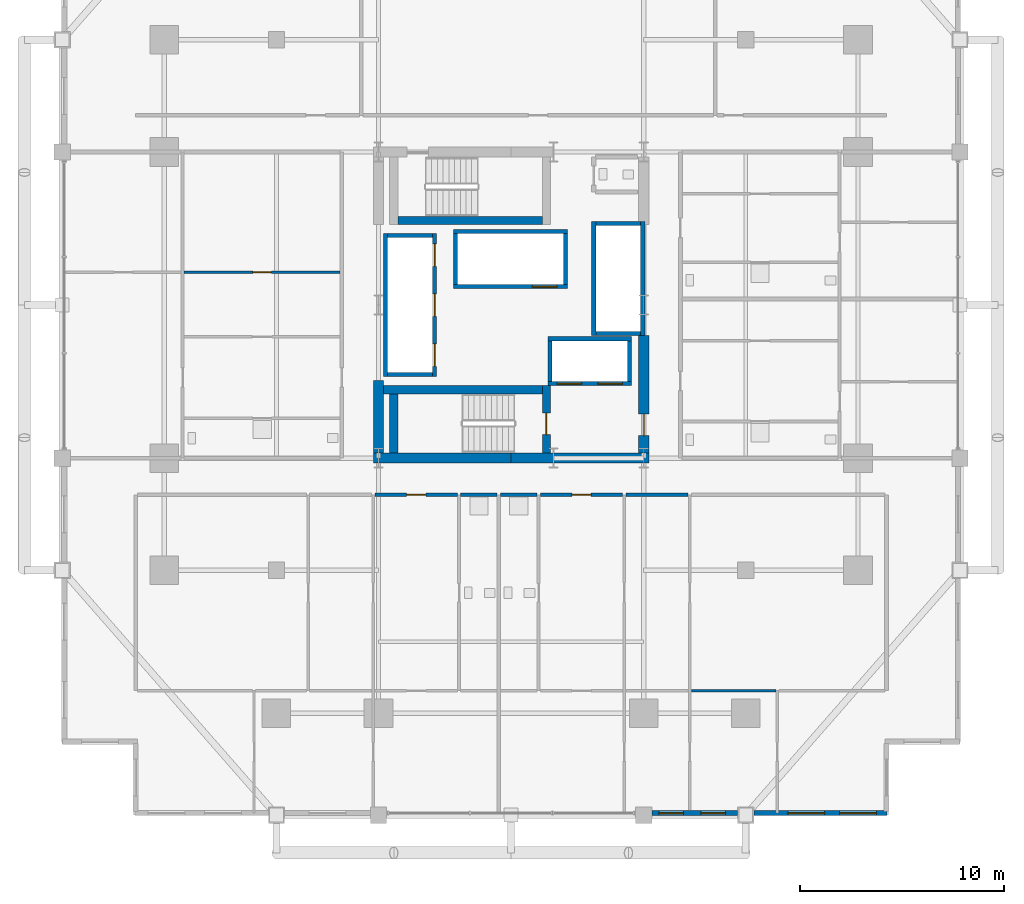
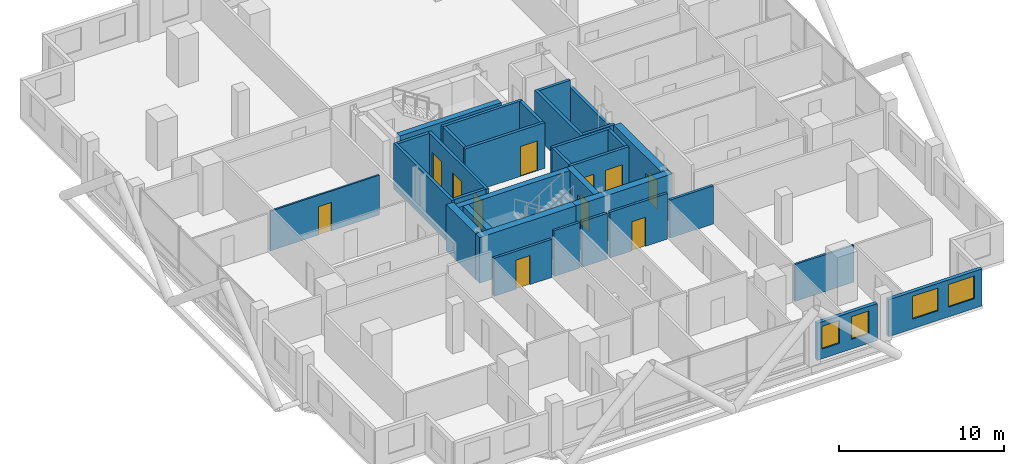
# One storey, part 22 of 27: 33 walls, 11 doors, 4 windows, 15 openings.
"""IFC4 building model written with IfcOpenShell, lengths in metres."""

from ifc_helpers import new_model, si_unit, direction, frame, frame_2d, origin, place, context, subcontext, project, spatial, rectangle, extrude, material, layer, layer_set, type_object, element, fill, save


model = new_model("IFC4")

# Units and contexts
model_context = context("Model", 3, precision=1e-05, world=origin(), true_north=direction((0.0, 1.0)))
body_context = subcontext(model_context, "Body", "Model", "MODEL_VIEW")
ifc_project = project(units=[si_unit("LENGTHUNIT", "METRE"), si_unit("AREAUNIT", "SQUARE_METRE"), si_unit("VOLUMEUNIT", "CUBIC_METRE"), si_unit("PLANEANGLEUNIT", "RADIAN"), si_unit("MASSUNIT", "GRAM", prefix="KILO")], contexts=[model_context])

# Site, building, storey
site_placement = place(None, origin())
site = spatial("IfcSite", under=ifc_project, at=site_placement, CompositionType="ELEMENT")
building_placement = place(site_placement, origin())
building = spatial("IfcBuilding", under=site, at=building_placement, Name="Barlavira Tower and Art Museum", CompositionType="ELEMENT")
storey_placement = place(building_placement, frame((0.0, 0.0, 72.0)))
storey = spatial("IfcBuildingStorey", under=building, at=storey_placement, Name="L17", CompositionType="ELEMENT", Elevation=72.0)

# Wall, opening, door
ifc_material_1 = material(Name="Gypsum acoustic stud partition", Category="gypsum")
ifc_layer_1 = layer(ifc_material_1, 0.1201171875, Name="Gypsum acoustic stud partition")
ifc_layer_set_1 = layer_set([ifc_layer_1], Name="Gypsum acoustic stud partition")
wall_type_1 = type_object("IfcWallType", Name="Apartment Internal Acoustic Partition 120", PredefinedType="PARTITIONING", material=ifc_layer_set_1)
wall_1_placement = place(storey_placement, frame((-16.02001953125, 1.60009765625, 0.0), z_axis=(0.0, 0.0, 1.0), x_axis=(1.0, 0.0, 0.0)))
wall_1 = element("IfcWall", 1, at=wall_1_placement, inside=storey, type_object=wall_type_1, Name="L17 Partition Wall 49", PredefinedType="PARTITIONING", context=body_context, shape_type="SweptSolid", body=[
    extrude(rectangle(XDim=7.64013671875, YDim=0.1201171875, at=frame_2d((3.820068359375, 0.0))), origin(), (0.0, 0.0, 1.0), 2.947998046875),
])
opening_1_placement = place(wall_1_placement, frame((3.3701171875, 0.0, 0.0)))
opening_1 = element("IfcOpeningElement", 2, at=opening_1_placement, cuts=wall_1, Name="Opening D-01", PredefinedType="OPENING", context=body_context, shape_type="SweptSolid", body=[
    extrude(rectangle(XDim=0.89990234375, YDim=2.10009765625, at=frame_2d((0.449951171875, 1.050048828125))), frame((0.0, 0.070068359375, 0.0), z_axis=(0.0, -1.0, 0.0), x_axis=(1.0, 0.0, 0.0)), (0.0, 0.0, 1.0), 0.14013671875),
])
ifc_material_2 = material(Name="Engineered coastal hardwood", Category="wood")
door_type_1 = type_object("IfcDoorType", Name="Internal Bedroom Timber Flush Door 900x2100", OperationType="NOTDEFINED", PredefinedType="DOOR", material=ifc_material_2)
door_1_placement = place(opening_1_placement, origin())
door_1 = element("IfcDoor", 3, at=door_1_placement, inside=storey, type_object=door_type_1, Name="Apartment W1 Walk-In Dressing Room Door", OperationType="SINGLE_SWING_LEFT", OverallHeight=2.10009765625, OverallWidth=0.89990234375, PredefinedType="DOOR", context=body_context, shape_type="SweptSolid", body=[
    extrude(rectangle(XDim=0.89990234375, YDim=2.10009765625, at=frame_2d((0.449951171875, 1.050048828125))), frame((0.0, 0.02490234375, 0.0), z_axis=(0.0, -1.0, 0.0), x_axis=(1.0, 0.0, 0.0)), (0.0, 0.0, 1.0), 0.050048828125),
])
fill(opening_1, door_1)

# Walls
ifc_material_3 = material(Name="Concrete C60", Category="concrete")
ifc_layer_2 = layer(ifc_material_3, 0.5, Name="Concrete C60")
ifc_layer_set_2 = layer_set([ifc_layer_2], Name="Concrete C60")
wall_type_2 = type_object("IfcWallType", Name="Core Structural Shear Wall 500 Concrete C60", PredefinedType="SHEAR", material=ifc_layer_set_2)
for number, where, z_axis, x_axis, name in (
    (4, (-6.75, -7.5, 0.0), (0.0, 0.0, 1.0), (1.0, 0.0, 0.0), "L17 Core Shear Wall CS-SW"),
    (5, (0.0, -7.5, 0.0), (0.0, 0.0, 1.0), (1.0, 0.0, 0.0), "L17 Core Shear Wall CS-SE"),
):
    element("IfcWall", number, at=place(storey_placement, frame(where, z_axis=z_axis, x_axis=x_axis)), inside=storey, type_object=wall_type_2, Name=name, PredefinedType="SHEAR", context=body_context, shape_type="SweptSolid", body=[
        extrude(rectangle(XDim=6.75, YDim=0.5, at=frame_2d((3.375, 0.0))), origin(), (0.0, 0.0, 1.0), 3.3798828125),
    ])
wall_2_placement = place(storey_placement, frame((-6.5, -7.25, 0.0), z_axis=(0.0, 0.0, 1.0), x_axis=(0.0, 1.0, 0.0)))
element("IfcWall", 6, at=wall_2_placement, inside=storey, type_object=wall_type_2, Name="L17 Core Shear Wall CS-W1", PredefinedType="SHEAR", context=body_context, shape_type="SweptSolid", body=[
    extrude(rectangle(XDim=3.550048828125, YDim=0.5, at=frame_2d((1.77490234375, 0.0))), origin(), (0.0, 0.0, 1.0), 3.3798828125),
])

# Wall, opening, door
wall_3_placement = place(storey_placement, frame((6.5, -7.25, 0.0), z_axis=(0.0, 0.0, 1.0), x_axis=(0.0, 1.0, 0.0)))
wall_3 = element("IfcWall", 7, at=wall_3_placement, inside=storey, type_object=wall_type_2, Name="L17 Core Shear Wall CS-E1", PredefinedType="SHEAR", context=body_context, shape_type="SweptSolid", body=[
    extrude(rectangle(XDim=5.75, YDim=0.5, at=frame_2d((2.875, 0.0))), origin(), (0.0, 0.0, 1.0), 3.3798828125),
])
opening_2_placement = place(wall_3_placement, frame((0.85009765625, 0.0, 0.0)))
opening_2 = element("IfcOpeningElement", 8, at=opening_2_placement, cuts=wall_3, Name="Opening FD-90", PredefinedType="OPENING", context=body_context, shape_type="SweptSolid", body=[
    extrude(rectangle(XDim=1.050048828125, YDim=2.14990234375, at=frame_2d((0.52490234375, 1.074951171875))), frame((0.0, 0.260009765625, 0.0), z_axis=(0.0, -1.0, 0.0), x_axis=(1.0, 0.0, 0.0)), (0.0, 0.0, 1.0), 0.52001953125),
])
ifc_material_4 = material(Name="Brushed stainless steel", Category="steel")
door_type_2 = type_object("IfcDoorType", Name="Stair and Refuge Fire Door 1050x2150 FD90S", OperationType="NOTDEFINED", PredefinedType="DOOR", material=ifc_material_4)
door_2_placement = place(opening_2_placement, origin())
door_2 = element("IfcDoor", 9, at=door_2_placement, inside=storey, type_object=door_type_2, Name="L17 Firefighting Lobby Entry Fire Door", OperationType="SINGLE_SWING_LEFT", OverallHeight=2.14990234375, OverallWidth=1.050048828125, PredefinedType="DOOR", context=body_context, shape_type="SweptSolid", body=[
    extrude(rectangle(XDim=1.050048828125, YDim=2.14990234375, at=frame_2d((0.52490234375, 1.074951171875))), frame((0.0, 0.02490234375, 0.0), z_axis=(0.0, -1.0, 0.0), x_axis=(1.0, 0.0, 0.0)), (0.0, 0.0, 1.0), 0.050048828125),
])
fill(opening_2, door_2)

# Wall, openings, doors
ifc_material_5 = material(Name="Autoclaved aerated concrete masonry", Category="masonry")
ifc_layer_3 = layer(ifc_material_5, 0.199951171875, Name="Autoclaved aerated concrete masonry")
ifc_layer_set_3 = layer_set([ifc_layer_3], Name="Autoclaved aerated concrete masonry")
wall_type_3 = type_object("IfcWallType", Name="Fire Compartment and Shaft Wall 200", PredefinedType="SOLIDWALL", material=ifc_layer_set_3)
wall_4_placement = place(storey_placement, frame((-3.75, -3.510009765625, 0.0), z_axis=(0.0, 0.0, 1.0), x_axis=(0.0, 1.0, 0.0)))
wall_4 = element("IfcWall", 10, at=wall_4_placement, inside=storey, type_object=wall_type_3, Name="L17 Low-Rise Lift Front Shaft Wall", PredefinedType="SOLIDWALL", context=body_context, shape_type="SweptSolid", body=[
    extrude(rectangle(XDim=7.02001953125, YDim=0.199951171875, at=frame_2d((3.510009765625, 0.0))), origin(), (0.0, 0.0, 1.0), 3.3798828125),
])
opening_3_placement = place(wall_4_placement, frame((0.510009765625, 0.0, 0.0)))
opening_3 = element("IfcOpeningElement", 11, at=opening_3_placement, cuts=wall_4, Name="Opening LD-P", PredefinedType="OPENING", context=body_context, shape_type="SweptSolid", body=[
    extrude(rectangle(XDim=1.10009765625, YDim=2.14990234375, at=frame_2d((0.550048828125, 1.074951171875))), frame((0.0, 0.10986328125, 0.0), z_axis=(0.0, -1.0, 0.0), x_axis=(1.0, 0.0, 0.0)), (0.0, 0.0, 1.0), 0.219970703125),
])
opening_4_placement = place(wall_4_placement, frame((2.9599609375, 0.0, 0.0)))
opening_4 = element("IfcOpeningElement", 12, at=opening_4_placement, cuts=wall_4, Name="Opening LD-P", PredefinedType="OPENING", context=body_context, shape_type="SweptSolid", body=[
    extrude(rectangle(XDim=1.10009765625, YDim=2.14990234375, at=frame_2d((0.550048828125, 1.074951171875))), frame((0.0, 0.10986328125, 0.0), z_axis=(0.0, -1.0, 0.0), x_axis=(1.0, 0.0, 0.0)), (0.0, 0.0, 1.0), 0.219970703125),
])
opening_5_placement = place(wall_4_placement, frame((5.409912109375, 0.0, 0.0)))
opening_5 = element("IfcOpeningElement", 13, at=opening_5_placement, cuts=wall_4, Name="Opening LD-P", PredefinedType="OPENING", context=body_context, shape_type="SweptSolid", body=[
    extrude(rectangle(XDim=1.10009765625, YDim=2.14990234375, at=frame_2d((0.550048828125, 1.074951171875))), frame((0.0, 0.10986328125, 0.0), z_axis=(0.0, -1.0, 0.0), x_axis=(1.0, 0.0, 0.0)), (0.0, 0.0, 1.0), 0.219970703125),
])
door_type_3 = type_object("IfcDoorType", Name="Passenger Lift Sliding Landing Door 1100x2150 FD60", OperationType="NOTDEFINED", PredefinedType="DOOR", material=ifc_material_4)
door_3_placement = place(opening_3_placement, origin())
door_3 = element("IfcDoor", 14, at=door_3_placement, inside=storey, type_object=door_type_3, Name="L17 Lift PL1 Sliding Landing Door", OperationType="DOUBLE_DOOR_SLIDING", OverallHeight=2.14990234375, OverallWidth=1.10009765625, PredefinedType="DOOR", context=body_context, shape_type="SweptSolid", body=[
    extrude(rectangle(XDim=1.10009765625, YDim=2.14990234375, at=frame_2d((0.550048828125, 1.074951171875))), frame((0.0, 0.02490234375, 0.0), z_axis=(0.0, -1.0, 0.0), x_axis=(1.0, 0.0, 0.0)), (0.0, 0.0, 1.0), 0.050048828125),
])
fill(opening_3, door_3)
door_4_placement = place(opening_4_placement, origin())
door_4 = element("IfcDoor", 15, at=door_4_placement, inside=storey, type_object=door_type_3, Name="L17 Lift PL2 Sliding Landing Door", OperationType="DOUBLE_DOOR_SLIDING", OverallHeight=2.14990234375, OverallWidth=1.10009765625, PredefinedType="DOOR", context=body_context, shape_type="SweptSolid", body=[
    extrude(rectangle(XDim=1.10009765625, YDim=2.14990234375, at=frame_2d((0.550048828125, 1.074951171875))), frame((0.0, 0.02490234375, 0.0), z_axis=(0.0, -1.0, 0.0), x_axis=(1.0, 0.0, 0.0)), (0.0, 0.0, 1.0), 0.050048828125),
])
fill(opening_4, door_4)
door_5_placement = place(opening_5_placement, origin())
door_5 = element("IfcDoor", 16, at=door_5_placement, inside=storey, type_object=door_type_3, Name="L17 Lift PL3 Sliding Landing Door", OperationType="DOUBLE_DOOR_SLIDING", OverallHeight=2.14990234375, OverallWidth=1.10009765625, PredefinedType="DOOR", context=body_context, shape_type="SweptSolid", body=[
    extrude(rectangle(XDim=1.10009765625, YDim=2.14990234375, at=frame_2d((0.550048828125, 1.074951171875))), frame((0.0, 0.02490234375, 0.0), z_axis=(0.0, -1.0, 0.0), x_axis=(1.0, 0.0, 0.0)), (0.0, 0.0, 1.0), 0.050048828125),
])
fill(opening_5, door_5)

# Walls
wall_5_placement = place(storey_placement, frame((-6.14990234375, -3.510009765625, 0.0), z_axis=(0.0, 0.0, 1.0), x_axis=(0.0, 1.0, 0.0)))
element("IfcWall", 17, at=wall_5_placement, inside=storey, type_object=wall_type_3, Name="L17 Low-Rise Lift Back Shaft Wall", PredefinedType="SOLIDWALL", context=body_context, shape_type="SweptSolid", body=[
    extrude(rectangle(XDim=7.02001953125, YDim=0.199951171875, at=frame_2d((3.510009765625, 0.0))), origin(), (0.0, 0.0, 1.0), 3.3798828125),
])
for number, where, z_axis, x_axis, name in (
    (18, (-6.050048828125, -3.409912109375, 0.0), (0.0, 0.0, 1.0), (1.0, 0.0, 0.0), "L17 Low-Rise Lift South Shaft Wall"),
    (19, (-6.050048828125, 3.409912109375, 0.0), (0.0, 0.0, 1.0), (1.0, 0.0, 0.0), "L17 Low-Rise Lift North Shaft Wall"),
):
    element("IfcWall", number, at=place(storey_placement, frame(where, z_axis=z_axis, x_axis=x_axis)), inside=storey, type_object=wall_type_3, Name=name, PredefinedType="SOLIDWALL", context=body_context, shape_type="SweptSolid", body=[
        extrude(rectangle(XDim=2.199951171875, YDim=0.199951171875, at=frame_2d((1.10009765625, 0.0))), origin(), (0.0, 0.0, 1.0), 3.3798828125),
    ])
wall_6_placement = place(storey_placement, frame((4.050048828125, -1.489990234375, 0.0), z_axis=(0.0, 0.0, 1.0), x_axis=(0.0, 1.0, 0.0)))
element("IfcWall", 20, at=wall_6_placement, inside=storey, type_object=wall_type_3, Name="L17 Mid-Rise Lift Front Shaft Wall", PredefinedType="SOLIDWALL", context=body_context, shape_type="SweptSolid", body=[
    extrude(rectangle(XDim=5.580078125, YDim=0.199951171875, at=frame_2d((2.7900390625, 0.0))), origin(), (0.0, 0.0, 1.0), 3.3798828125),
])
wall_7_placement = place(storey_placement, frame((6.449951171875, -1.489990234375, 0.0), z_axis=(0.0, 0.0, 1.0), x_axis=(0.0, 1.0, 0.0)))
element("IfcWall", 21, at=wall_7_placement, inside=storey, type_object=wall_type_3, Name="L17 Mid-Rise Lift Back Shaft Wall", PredefinedType="SOLIDWALL", context=body_context, shape_type="SweptSolid", body=[
    extrude(rectangle(XDim=5.580078125, YDim=0.199951171875, at=frame_2d((2.7900390625, 0.0))), origin(), (0.0, 0.0, 1.0), 2.81591796875),
])
for number, where, z_axis, x_axis, name in (
    (22, (4.14990234375, -1.389892578125, 0.0), (0.0, 0.0, 1.0), (1.0, 0.0, 0.0), "L17 Mid-Rise Lift South Shaft Wall"),
    (23, (4.14990234375, 3.989990234375, 0.0), (0.0, 0.0, 1.0), (1.0, 0.0, 0.0), "L17 Mid-Rise Lift North Shaft Wall"),
):
    element("IfcWall", number, at=place(storey_placement, frame(where, z_axis=z_axis, x_axis=x_axis)), inside=storey, type_object=wall_type_3, Name=name, PredefinedType="SOLIDWALL", context=body_context, shape_type="SweptSolid", body=[
        extrude(rectangle(XDim=2.2001953125, YDim=0.199951171875, at=frame_2d((1.10009765625, 0.0))), origin(), (0.0, 0.0, 1.0), 3.3798828125),
    ])

# Wall, opening, door
wall_8_placement = place(storey_placement, frame((-2.820068359375, 0.89990234375, 0.0), z_axis=(0.0, 0.0, 1.0), x_axis=(1.0, 0.0, 0.0)))
wall_8 = element("IfcWall", 24, at=wall_8_placement, inside=storey, type_object=wall_type_3, Name="L17 High-Rise & Service Lift Front Wall", PredefinedType="SOLIDWALL", context=body_context, shape_type="SweptSolid", body=[
    extrude(rectangle(XDim=5.580078125, YDim=0.199951171875, at=frame_2d((2.7900390625, 0.0))), origin(), (0.0, 0.0, 1.0), 3.3798828125),
])
opening_6_placement = place(wall_8_placement, frame((3.860107421875, 0.0, 0.0)))
opening_6 = element("IfcOpeningElement", 25, at=opening_6_placement, cuts=wall_8, Name="Opening LD-F", PredefinedType="OPENING", context=body_context, shape_type="SweptSolid", body=[
    extrude(rectangle(XDim=1.199951171875, YDim=2.199951171875, at=frame_2d((0.60009765625, 1.10009765625))), frame((0.0, 0.10986328125, 0.0), z_axis=(0.0, -1.0, 0.0), x_axis=(1.0, 0.0, 0.0)), (0.0, 0.0, 1.0), 0.219970703125),
])
door_type_4 = type_object("IfcDoorType", Name="Firefighting and Service Lift Sliding Door 1200x2200 FD120", OperationType="NOTDEFINED", PredefinedType="DOOR", material=ifc_material_4)
door_6_placement = place(opening_6_placement, origin())
door_6 = element("IfcDoor", 26, at=door_6_placement, inside=storey, type_object=door_type_4, Name="L17 Stretcher Service Lift SL1 Sliding Door", OperationType="DOUBLE_DOOR_SLIDING", OverallHeight=2.199951171875, OverallWidth=1.199951171875, PredefinedType="DOOR", context=body_context, shape_type="SweptSolid", body=[
    extrude(rectangle(XDim=1.199951171875, YDim=2.199951171875, at=frame_2d((0.60009765625, 1.10009765625))), frame((0.0, 0.02490234375, 0.0), z_axis=(0.0, -1.0, 0.0), x_axis=(1.0, 0.0, 0.0)), (0.0, 0.0, 1.0), 0.050048828125),
])
fill(opening_6, door_6)

# Walls
wall_9_placement = place(storey_placement, frame((-2.820068359375, 3.60009765625, 0.0), z_axis=(0.0, 0.0, 1.0), x_axis=(1.0, 0.0, 0.0)))
element("IfcWall", 27, at=wall_9_placement, inside=storey, type_object=wall_type_3, Name="L17 High-Rise & Service Lift Back Wall", PredefinedType="SOLIDWALL", context=body_context, shape_type="SweptSolid", body=[
    extrude(rectangle(XDim=5.580078125, YDim=0.199951171875, at=frame_2d((2.7900390625, 0.0))), origin(), (0.0, 0.0, 1.0), 3.3798828125),
])
for number, where, z_axis, x_axis, name in (
    (28, (-2.719970703125, 1.0, 0.0), (0.0, 0.0, 1.0), (0.0, 1.0, 0.0), "L17 High-Rise & Service Lift West Wall"),
    (29, (2.659912109375, 1.0, 0.0), (0.0, 0.0, 1.0), (0.0, 1.0, 0.0), "L17 High-Rise & Service Lift East Wall"),
):
    element("IfcWall", number, at=place(storey_placement, frame(where, z_axis=z_axis, x_axis=x_axis)), inside=storey, type_object=wall_type_3, Name=name, PredefinedType="SOLIDWALL", context=body_context, shape_type="SweptSolid", body=[
        extrude(rectangle(XDim=2.5, YDim=0.199951171875, at=frame_2d((1.25, 0.0))), origin(), (0.0, 0.0, 1.0), 3.3798828125),
    ])

# Wall, openings, doors
wall_10_placement = place(storey_placement, frame((1.800048828125, -3.85009765625, 0.0), z_axis=(0.0, 0.0, 1.0), x_axis=(1.0, 0.0, 0.0)))
wall_10 = element("IfcWall", 30, at=wall_10_placement, inside=storey, type_object=wall_type_3, Name="L17 Firefighting Lift Front Shaft Wall", PredefinedType="SOLIDWALL", context=body_context, shape_type="SweptSolid", body=[
    extrude(rectangle(XDim=4.099853515625, YDim=0.199951171875, at=frame_2d((2.0498046875, 0.0))), origin(), (0.0, 0.0, 1.0), 3.3798828125),
])
opening_7_placement = place(wall_10_placement, frame((0.449951171875, 0.0, 0.0)))
opening_7 = element("IfcOpeningElement", 31, at=opening_7_placement, cuts=wall_10, Name="Opening LD-F", PredefinedType="OPENING", context=body_context, shape_type="SweptSolid", body=[
    extrude(rectangle(XDim=1.199951171875, YDim=2.199951171875, at=frame_2d((0.60009765625, 1.10009765625))), frame((0.0, 0.10986328125, 0.0), z_axis=(0.0, -1.0, 0.0), x_axis=(1.0, 0.0, 0.0)), (0.0, 0.0, 1.0), 0.219970703125),
])
opening_8_placement = place(wall_10_placement, frame((2.449951171875, 0.0, 0.0)))
opening_8 = element("IfcOpeningElement", 32, at=opening_8_placement, cuts=wall_10, Name="Opening LD-F", PredefinedType="OPENING", context=body_context, shape_type="SweptSolid", body=[
    extrude(rectangle(XDim=1.199951171875, YDim=2.199951171875, at=frame_2d((0.60009765625, 1.10009765625))), frame((0.0, 0.10986328125, 0.0), z_axis=(0.0, -1.0, 0.0), x_axis=(1.0, 0.0, 0.0)), (0.0, 0.0, 1.0), 0.219970703125),
])
door_7_placement = place(opening_7_placement, origin())
door_7 = element("IfcDoor", 33, at=door_7_placement, inside=storey, type_object=door_type_4, Name="L17 Firefighting Lift FF1 Sliding Door", OperationType="DOUBLE_DOOR_SLIDING", OverallHeight=2.199951171875, OverallWidth=1.199951171875, PredefinedType="DOOR", context=body_context, shape_type="SweptSolid", body=[
    extrude(rectangle(XDim=1.199951171875, YDim=2.199951171875, at=frame_2d((0.60009765625, 1.10009765625))), frame((0.0, 0.02490234375, 0.0), z_axis=(0.0, -1.0, 0.0), x_axis=(1.0, 0.0, 0.0)), (0.0, 0.0, 1.0), 0.050048828125),
])
fill(opening_7, door_7)
door_8_placement = place(opening_8_placement, origin())
door_8 = element("IfcDoor", 34, at=door_8_placement, inside=storey, type_object=door_type_4, Name="L17 Firefighting Lift FF2 Sliding Door", OperationType="DOUBLE_DOOR_SLIDING", OverallHeight=2.199951171875, OverallWidth=1.199951171875, PredefinedType="DOOR", context=body_context, shape_type="SweptSolid", body=[
    extrude(rectangle(XDim=1.199951171875, YDim=2.199951171875, at=frame_2d((0.60009765625, 1.10009765625))), frame((0.0, 0.02490234375, 0.0), z_axis=(0.0, -1.0, 0.0), x_axis=(1.0, 0.0, 0.0)), (0.0, 0.0, 1.0), 0.050048828125),
])
fill(opening_8, door_8)

# Walls
wall_11_placement = place(storey_placement, frame((1.800048828125, -1.64990234375, 0.0), z_axis=(0.0, 0.0, 1.0), x_axis=(1.0, 0.0, 0.0)))
element("IfcWall", 35, at=wall_11_placement, inside=storey, type_object=wall_type_3, Name="L17 Firefighting Lift Back Shaft Wall", PredefinedType="SOLIDWALL", context=body_context, shape_type="SweptSolid", body=[
    extrude(rectangle(XDim=4.099853515625, YDim=0.199951171875, at=frame_2d((2.0498046875, 0.0))), origin(), (0.0, 0.0, 1.0), 3.3798828125),
])
for number, where, z_axis, x_axis, name in (
    (36, (1.89990234375, -3.75, 0.0), (0.0, 0.0, 1.0), (0.0, 1.0, 0.0), "L17 Firefighting Lift West Shaft Wall"),
    (37, (5.800048828125, -3.75, 0.0), (0.0, 0.0, 1.0), (0.0, 1.0, 0.0), "L17 Firefighting Lift East Shaft Wall"),
):
    element("IfcWall", number, at=place(storey_placement, frame(where, z_axis=z_axis, x_axis=x_axis)), inside=storey, type_object=wall_type_3, Name=name, PredefinedType="SOLIDWALL", context=body_context, shape_type="SweptSolid", body=[
        extrude(rectangle(XDim=2.0, YDim=0.199951171875, at=frame_2d((1.0, 0.0))), origin(), (0.0, 0.0, 1.0), 3.3798828125),
    ])

# Wall, opening, door
ifc_layer_4 = layer(ifc_material_1, 0.179931640625, Name="Gypsum acoustic stud partition")
ifc_layer_set_4 = layer_set([ifc_layer_4], Name="Gypsum acoustic stud partition")
wall_type_4 = type_object("IfcWallType", Name="Inter-Tenancy Party Partition Wall 180", PredefinedType="PARTITIONING", material=ifc_layer_set_4)
wall_12_placement = place(storey_placement, frame((-6.669921875, -9.300048828125, 0.0), z_axis=(0.0, 0.0, 1.0), x_axis=(1.0, 0.0, 0.0)))
wall_12 = element("IfcWall", 38, at=wall_12_placement, inside=storey, type_object=wall_type_4, Name="L17 Partition Wall 31", PredefinedType="PARTITIONING", context=body_context, shape_type="SweptSolid", body=[
    extrude(rectangle(XDim=4.0400390625, YDim=0.179931640625, at=frame_2d((2.02001953125, 0.0))), origin(), (0.0, 0.0, 1.0), 2.81591796875),
])
opening_9_placement = place(wall_12_placement, frame((1.544921875, 0.0, 0.0)))
opening_9 = element("IfcOpeningElement", 39, at=opening_9_placement, cuts=wall_12, Name="Opening FD-60", PredefinedType="OPENING", context=body_context, shape_type="SweptSolid", body=[
    extrude(rectangle(XDim=0.949951171875, YDim=2.14990234375, at=frame_2d((0.47509765625, 1.074951171875))), frame((0.0, 0.10009765625, 0.0), z_axis=(0.0, -1.0, 0.0), x_axis=(1.0, 0.0, 0.0)), (0.0, 0.0, 1.0), 0.199951171875),
])
door_type_5 = type_object("IfcDoorType", Name="Apartment Entrance and Riser Fire Door 950x2150 FD60S", OperationType="NOTDEFINED", PredefinedType="DOOR", material=ifc_material_4)
door_9_placement = place(opening_9_placement, origin())
door_9 = element("IfcDoor", 40, at=door_9_placement, inside=storey, type_object=door_type_5, Name="Apartment Entrance Hall S1 Door", OperationType="SINGLE_SWING_LEFT", OverallHeight=2.14990234375, OverallWidth=0.949951171875, PredefinedType="DOOR", context=body_context, shape_type="SweptSolid", body=[
    extrude(rectangle(XDim=0.949951171875, YDim=2.14990234375, at=frame_2d((0.47509765625, 1.074951171875))), frame((0.0, 0.02490234375, 0.0), z_axis=(0.0, -1.0, 0.0), x_axis=(1.0, 0.0, 0.0)), (0.0, 0.0, 1.0), 0.050048828125),
])
fill(opening_9, door_9)

# Walls
for number, where, z_axis, x_axis, name in (
    (41, (-2.469970703125, -9.300048828125, 0.0), (0.0, 0.0, 1.0), (1.0, 0.0, 0.0), "L17 Partition Wall 32"),
    (42, (-0.52001953125, -9.300048828125, 0.0), (0.0, 0.0, 1.0), (1.0, 0.0, 0.0), "L17 Partition Wall 33"),
):
    element("IfcWall", number, at=place(storey_placement, frame(where, z_axis=z_axis, x_axis=x_axis)), inside=storey, type_object=wall_type_4, Name=name, PredefinedType="PARTITIONING", context=body_context, shape_type="SweptSolid", body=[
        extrude(rectangle(XDim=1.7900390625, YDim=0.179931640625, at=frame_2d((0.89501953125, 0.0))), origin(), (0.0, 0.0, 1.0), 3.3798828125),
    ])

# Wall, opening, door
wall_13_placement = place(storey_placement, frame((1.429931640625, -9.300048828125, 0.0), z_axis=(0.0, 0.0, 1.0), x_axis=(1.0, 0.0, 0.0)))
wall_13 = element("IfcWall", 43, at=wall_13_placement, inside=storey, type_object=wall_type_4, Name="L17 Partition Wall 34", PredefinedType="PARTITIONING", context=body_context, shape_type="SweptSolid", body=[
    extrude(rectangle(XDim=4.0400390625, YDim=0.179931640625, at=frame_2d((2.02001953125, 0.0))), origin(), (0.0, 0.0, 1.0), 3.3798828125),
])
opening_10_placement = place(wall_13_placement, frame((1.544921875, 0.0, 0.0)))
opening_10 = element("IfcOpeningElement", 44, at=opening_10_placement, cuts=wall_13, Name="Opening FD-60", PredefinedType="OPENING", context=body_context, shape_type="SweptSolid", body=[
    extrude(rectangle(XDim=0.949951171875, YDim=2.14990234375, at=frame_2d((0.47509765625, 1.074951171875))), frame((0.0, 0.10009765625, 0.0), z_axis=(0.0, -1.0, 0.0), x_axis=(1.0, 0.0, 0.0)), (0.0, 0.0, 1.0), 0.199951171875),
])
door_10_placement = place(opening_10_placement, origin())
door_10 = element("IfcDoor", 45, at=door_10_placement, inside=storey, type_object=door_type_5, Name="Apartment Entrance Hall S2 Door", OperationType="SINGLE_SWING_RIGHT", OverallHeight=2.14990234375, OverallWidth=0.949951171875, PredefinedType="DOOR", context=body_context, shape_type="SweptSolid", body=[
    extrude(rectangle(XDim=0.949951171875, YDim=2.14990234375, at=frame_2d((0.47509765625, 1.074951171875))), frame((0.0, 0.02490234375, 0.0), z_axis=(0.0, -1.0, 0.0), x_axis=(1.0, 0.0, 0.0)), (0.0, 0.0, 1.0), 0.050048828125),
])
fill(opening_10, door_10)

# Walls
wall_14_placement = place(storey_placement, frame((5.6298828125, -9.300048828125, 0.0), z_axis=(0.0, 0.0, 1.0), x_axis=(1.0, 0.0, 0.0)))
element("IfcWall", 46, at=wall_14_placement, inside=storey, type_object=wall_type_4, Name="L17 Partition Wall 35", PredefinedType="PARTITIONING", context=body_context, shape_type="SweptSolid", body=[
    extrude(rectangle(XDim=3.0400390625, YDim=0.179931640625, at=frame_2d((1.52001953125, 0.0))), origin(), (0.0, 0.0, 1.0), 2.81591796875),
])
ifc_layer_5 = layer(ifc_material_1, 0.139892578125, Name="Gypsum acoustic stud partition")
ifc_layer_set_5 = layer_set([ifc_layer_5], Name="Gypsum acoustic stud partition")
wall_type_5 = type_object("IfcWallType", Name="Moisture-Resistant Bathroom Partition 140", PredefinedType="PARTITIONING", material=ifc_layer_set_5)
wall_15_placement = place(storey_placement, frame((8.830078125, -18.89990234375, 0.0), z_axis=(0.0, 0.0, 1.0), x_axis=(1.0, 0.0, 0.0)))
element("IfcWall", 47, at=wall_15_placement, inside=storey, type_object=wall_type_5, Name="L17 Partition Wall 27", PredefinedType="PARTITIONING", context=body_context, shape_type="SweptSolid", body=[
    extrude(rectangle(XDim=4.139892578125, YDim=0.139892578125, at=frame_2d((2.06982421875, 0.0))), origin(), (0.0, 0.0, 1.0), 2.736083984375),
])

# Wall, openings, windows
ifc_material_6 = material(Name="Precast concrete C40", Category="concrete")
ifc_layer_6 = layer(ifc_material_6, 0.25, Name="Precast concrete C40")
ifc_layer_set_6 = layer_set([ifc_layer_6], Name="Precast concrete C40")
wall_type_6 = type_object("IfcWallType", Name="Notched Corner Spandrel Wall 250 Precast Concrete C40", PredefinedType="SOLIDWALL", material=ifc_layer_set_6)
wall_16_placement = place(storey_placement, frame((6.89501953125, -24.89990234375, 0.0), z_axis=(0.0, 0.0, 1.0), x_axis=(1.0, 0.0, 0.0)))
wall_16 = element("IfcWall", 48, at=wall_16_placement, inside=storey, type_object=wall_type_6, Name="L17 Coastal Facade Pier Wall CW1-L17-S-4", PredefinedType="SOLIDWALL", context=body_context, shape_type="SweptSolid", body=[
    extrude(rectangle(XDim=4.2099609375, YDim=0.25, at=frame_2d((2.10498046875, 0.0))), origin(), (0.0, 0.0, 1.0), 2.736083984375),
])
opening_11_placement = place(wall_16_placement, frame((0.35009765625, 0.0, 0.719970703125)))
opening_11 = element("IfcOpeningElement", 49, at=opening_11_placement, cuts=wall_16, Name="Opening WN-05", PredefinedType="OPENING", context=body_context, shape_type="SweptSolid", body=[
    extrude(rectangle(XDim=1.199951171875, YDim=1.679931640625, at=frame_2d((0.60009765625, 0.83984375))), frame((0.0, 0.135009765625, 0.0), z_axis=(0.0, -1.0, 0.0), x_axis=(1.0, 0.0, 0.0)), (0.0, 0.0, 1.0), 0.27001953125),
])
opening_12_placement = place(wall_16_placement, frame((2.409912109375, 0.0, 0.719970703125)))
opening_12 = element("IfcOpeningElement", 50, at=opening_12_placement, cuts=wall_16, Name="Opening WN-05", PredefinedType="OPENING", context=body_context, shape_type="SweptSolid", body=[
    extrude(rectangle(XDim=1.199951171875, YDim=1.679931640625, at=frame_2d((0.60009765625, 0.83984375))), frame((0.0, 0.135009765625, 0.0), z_axis=(0.0, -1.0, 0.0), x_axis=(1.0, 0.0, 0.0)), (0.0, 0.0, 1.0), 0.27001953125),
])
ifc_material_7 = material(Name="Low-iron coastal laminated glass", Category="glass")
window_type_1 = type_object("IfcWindowType", Name="Recessed Flank Pier Punch Window 1200x1680", PartitioningType="SINGLE_PANEL", PredefinedType="WINDOW", material=ifc_material_7)
window_1_placement = place(opening_11_placement, origin())
window_1 = element("IfcWindow", 51, at=window_1_placement, inside=storey, type_object=window_type_1, Name="L17 Punched Facade Window EWP-CW1-L17-S-4-1", OverallHeight=1.679931640625, OverallWidth=1.199951171875, PartitioningType="SINGLE_PANEL", PredefinedType="WINDOW", context=body_context, shape_type="SweptSolid", body=[
    extrude(rectangle(XDim=1.199951171875, YDim=1.679931640625, at=frame_2d((0.60009765625, 0.83984375))), frame((0.0, 0.030029296875, 0.0), z_axis=(0.0, -1.0, 0.0), x_axis=(1.0, 0.0, 0.0)), (0.0, 0.0, 1.0), 0.06005859375),
])
fill(opening_11, window_1)
window_2_placement = place(opening_12_placement, origin())
window_2 = element("IfcWindow", 52, at=window_2_placement, inside=storey, type_object=window_type_1, Name="L17 Punched Facade Window EWP-CW1-L17-S-4-2", OverallHeight=1.679931640625, OverallWidth=1.199951171875, PartitioningType="SINGLE_PANEL", PredefinedType="WINDOW", context=body_context, shape_type="SweptSolid", body=[
    extrude(rectangle(XDim=1.199951171875, YDim=1.679931640625, at=frame_2d((0.60009765625, 0.83984375))), frame((0.0, 0.030029296875, 0.0), z_axis=(0.0, -1.0, 0.0), x_axis=(1.0, 0.0, 0.0)), (0.0, 0.0, 1.0), 0.06005859375),
])
fill(opening_12, window_2)

wall_17_placement = place(storey_placement, frame((11.89501953125, -24.89990234375, 0.0), z_axis=(0.0, 0.0, 1.0), x_axis=(1.0, 0.0, 0.0)))
wall_17 = element("IfcWall", 53, at=wall_17_placement, inside=storey, type_object=wall_type_6, Name="L17 Coastal Facade Pier Wall CW1-L17-S-5", PredefinedType="SOLIDWALL", context=body_context, shape_type="SweptSolid", body=[
    extrude(rectangle(XDim=6.530029296875, YDim=0.25, at=frame_2d((3.26513671875, 0.0))), origin(), (0.0, 0.0, 1.0), 2.736083984375),
])
opening_13_placement = place(wall_17_placement, frame((1.6640625, 0.0, 0.719970703125)))
opening_13 = element("IfcOpeningElement", 54, at=opening_13_placement, cuts=wall_17, Name="Opening WN-01", PredefinedType="OPENING", context=body_context, shape_type="SweptSolid", body=[
    extrude(rectangle(XDim=1.800048828125, YDim=1.679931640625, at=frame_2d((0.89990234375, 0.83984375))), frame((0.0, 0.135009765625, 0.0), z_axis=(0.0, -1.0, 0.0), x_axis=(1.0, 0.0, 0.0)), (0.0, 0.0, 1.0), 0.27001953125),
])
opening_14_placement = place(wall_17_placement, frame((4.200927734375, 0.0, 0.719970703125)))
opening_14 = element("IfcOpeningElement", 55, at=opening_14_placement, cuts=wall_17, Name="Opening WN-01", PredefinedType="OPENING", context=body_context, shape_type="SweptSolid", body=[
    extrude(rectangle(XDim=1.800048828125, YDim=1.679931640625, at=frame_2d((0.89990234375, 0.83984375))), frame((0.0, 0.135009765625, 0.0), z_axis=(0.0, -1.0, 0.0), x_axis=(1.0, 0.0, 0.0)), (0.0, 0.0, 1.0), 0.27001953125),
])
window_type_2 = type_object("IfcWindowType", Name="Recessed Notch Corner Punch Window 1800x1680", PartitioningType="SINGLE_PANEL", PredefinedType="WINDOW", material=ifc_material_7)
window_3_placement = place(opening_13_placement, origin())
window_3 = element("IfcWindow", 56, at=window_3_placement, inside=storey, type_object=window_type_2, Name="L17 Punched Facade Window EWP-CW1-L17-S-5-1", OverallHeight=1.679931640625, OverallWidth=1.800048828125, PartitioningType="SINGLE_PANEL", PredefinedType="WINDOW", context=body_context, shape_type="SweptSolid", body=[
    extrude(rectangle(XDim=1.800048828125, YDim=1.679931640625, at=frame_2d((0.89990234375, 0.83984375))), frame((0.0, 0.030029296875, 0.0), z_axis=(0.0, -1.0, 0.0), x_axis=(1.0, 0.0, 0.0)), (0.0, 0.0, 1.0), 0.06005859375),
])
fill(opening_13, window_3)
window_4_placement = place(opening_14_placement, origin())
window_4 = element("IfcWindow", 57, at=window_4_placement, inside=storey, type_object=window_type_2, Name="L17 Punched Facade Window EWP-CW1-L17-S-5-2", OverallHeight=1.679931640625, OverallWidth=1.800048828125, PartitioningType="SINGLE_PANEL", PredefinedType="WINDOW", context=body_context, shape_type="SweptSolid", body=[
    extrude(rectangle(XDim=1.800048828125, YDim=1.679931640625, at=frame_2d((0.89990234375, 0.83984375))), frame((0.0, 0.030029296875, 0.0), z_axis=(0.0, -1.0, 0.0), x_axis=(1.0, 0.0, 0.0)), (0.0, 0.0, 1.0), 0.06005859375),
])
fill(opening_14, window_4)

# Walls
ifc_material_8 = material(Name="Concrete C55", Category="concrete")
ifc_layer_7 = layer(ifc_material_8, 0.39990234375, Name="Concrete C55")
ifc_layer_set_7 = layer_set([ifc_layer_7], Name="Concrete C55")
wall_type_7 = type_object("IfcWallType", Name="Upper Core Shear Wall 400 Concrete C55", PredefinedType="SHEAR", material=ifc_layer_set_7)
wall_18_placement = place(storey_placement, frame((-5.75, -7.25, 0.0), z_axis=(0.0, 0.0, 1.0), x_axis=(0.0, 1.0, 0.0)))
element("IfcWall", 58, at=wall_18_placement, inside=storey, type_object=wall_type_7, Name="L17 ST-T1 West Half-Landing Wall", PredefinedType="SHEAR", context=body_context, shape_type="SweptSolid", body=[
    extrude(rectangle(XDim=2.89990234375, YDim=0.39990234375, at=frame_2d((1.449951171875, 0.0))), origin(), (0.0, 0.0, 1.0), 3.3798828125),
])
wall_19_placement = place(storey_placement, frame((-6.25, -4.14990234375, 0.0), z_axis=(0.0, 0.0, 1.0), x_axis=(1.0, 0.0, 0.0)))
element("IfcWall", 59, at=wall_19_placement, inside=storey, type_object=wall_type_7, Name="L17 ST-T1 North Shaft Wall", PredefinedType="SHEAR", context=body_context, shape_type="SweptSolid", body=[
    extrude(rectangle(XDim=7.780029296875, YDim=0.39990234375, at=frame_2d((3.89013671875, 0.0))), origin(), (0.0, 0.0, 1.0), 3.3798828125),
])

# Wall, opening, door
wall_20_placement = place(storey_placement, frame((1.72998046875, -7.25, 0.0), z_axis=(0.0, 0.0, 1.0), x_axis=(0.0, 1.0, 0.0)))
wall_20 = element("IfcWall", 60, at=wall_20_placement, inside=storey, type_object=wall_type_7, Name="L17 ST-T1 East Landing Wall", PredefinedType="SHEAR", context=body_context, shape_type="SweptSolid", body=[
    extrude(rectangle(XDim=3.300048828125, YDim=0.39990234375, at=frame_2d((1.64990234375, 0.0))), origin(), (0.0, 0.0, 1.0), 3.3798828125),
])
opening_15_placement = place(wall_20_placement, frame((0.89990234375, 0.0, 0.0)))
opening_15 = element("IfcOpeningElement", 61, at=opening_15_placement, cuts=wall_20, Name="Opening FD-90", PredefinedType="OPENING", context=body_context, shape_type="SweptSolid", body=[
    extrude(rectangle(XDim=1.050048828125, YDim=2.14990234375, at=frame_2d((0.52490234375, 1.074951171875))), frame((0.0, 0.2099609375, 0.0), z_axis=(0.0, -1.0, 0.0), x_axis=(1.0, 0.0, 0.0)), (0.0, 0.0, 1.0), 0.419921875),
])
door_11_placement = place(opening_15_placement, origin())
door_11 = element("IfcDoor", 62, at=door_11_placement, inside=storey, type_object=door_type_2, Name="L17 Stair ST-T1 Fire Door", OperationType="SINGLE_SWING_RIGHT", OverallHeight=2.14990234375, OverallWidth=1.050048828125, PredefinedType="DOOR", context=body_context, shape_type="SweptSolid", body=[
    extrude(rectangle(XDim=1.050048828125, YDim=2.14990234375, at=frame_2d((0.52490234375, 1.074951171875))), frame((0.0, 0.02490234375, 0.0), z_axis=(0.0, -1.0, 0.0), x_axis=(1.0, 0.0, 0.0)), (0.0, 0.0, 1.0), 0.050048828125),
])
fill(opening_15, door_11)

# Wall
wall_21_placement = place(storey_placement, frame((-5.550048828125, 4.14990234375, 0.0), z_axis=(0.0, 0.0, 1.0), x_axis=(1.0, 0.0, 0.0)))
element("IfcWall", 63, at=wall_21_placement, inside=storey, type_object=wall_type_7, Name="L17 ST-T2 South Shaft Wall", PredefinedType="SHEAR", context=body_context, shape_type="SweptSolid", body=[
    extrude(rectangle(XDim=7.080078125, YDim=0.39990234375, at=frame_2d((3.5400390625, 0.0))), origin(), (0.0, 0.0, 1.0), 3.3798828125),
])

save(model, "model.ifc")
